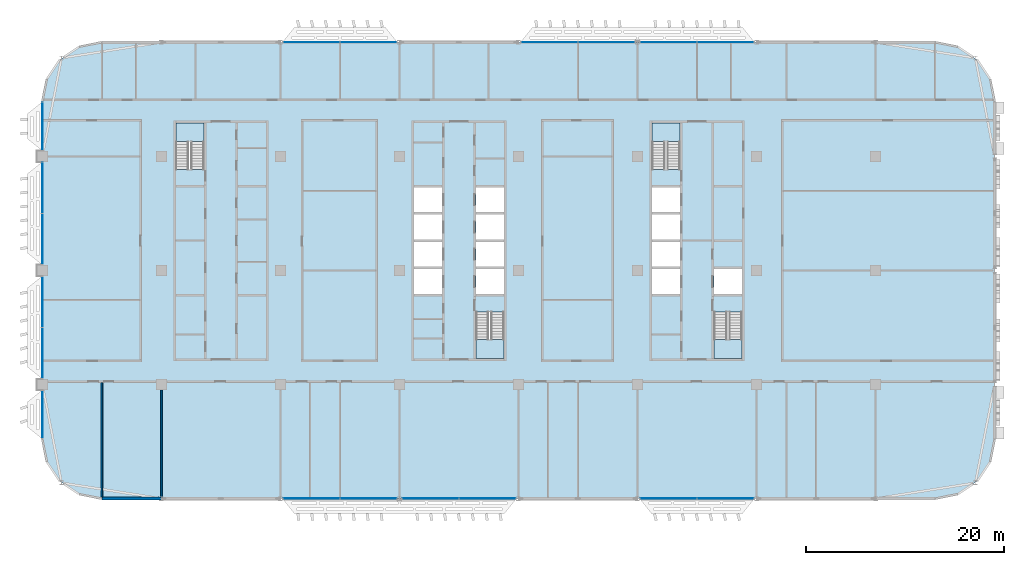
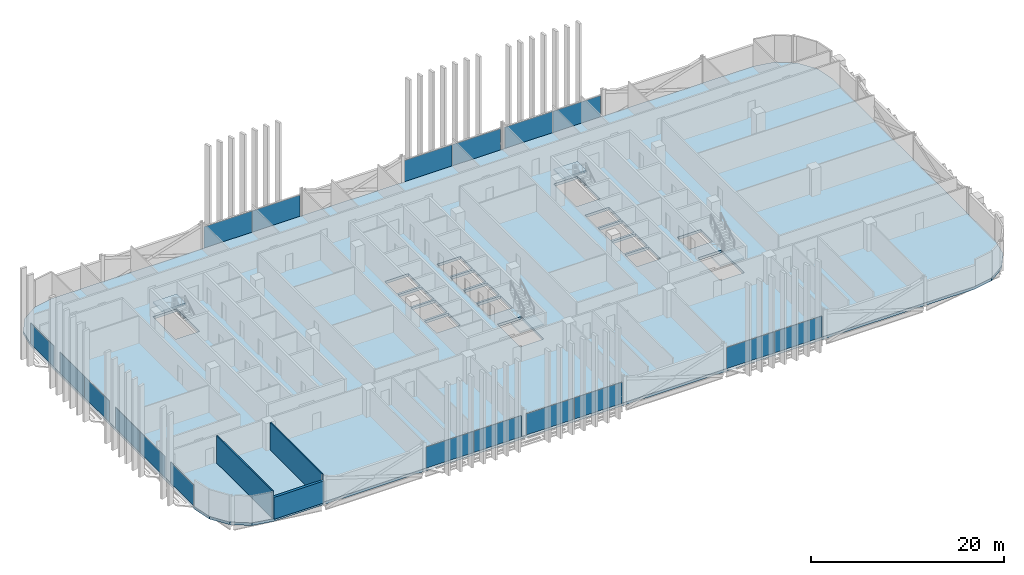
# One storey, part 12 of 30: 18 plates, 5 slabs, 3 walls, 14 elements without a shape of their own.
"""IFC4 building model written with IfcOpenShell, lengths in metres."""

from ifc_helpers import new_model, si_unit, direction, frame, frame_2d, origin, origin_2d, place, context, subcontext, project, spatial, polyline, rectangle, outline, extrude, material, layer, layer_set, type_object, element, aggregate, save


model = new_model("IFC4")

# Units and contexts
model_context = context("Model", 3, precision=1e-05, world=origin(), true_north=direction((0.0, 1.0)))
body_context = subcontext(model_context, "Body", "Model", "MODEL_VIEW")
ifc_project = project(units=[si_unit("LENGTHUNIT", "METRE"), si_unit("AREAUNIT", "SQUARE_METRE"), si_unit("VOLUMEUNIT", "CUBIC_METRE"), si_unit("PLANEANGLEUNIT", "RADIAN"), si_unit("MASSUNIT", "GRAM", prefix="KILO")], contexts=[model_context])

# Site, building, storey
site_placement = place(None, origin())
site = spatial("IfcSite", under=ifc_project, at=site_placement, CompositionType="ELEMENT")
building_placement = place(site_placement, origin())
building = spatial("IfcBuilding", under=site, at=building_placement, Name="Mahtab Terrace Research Tower", CompositionType="ELEMENT")
storey_placement = place(building_placement, frame((0.0, 0.0, 209.10009765625)))
storey = spatial("IfcBuildingStorey", under=building, at=storey_placement, Name="L50", CompositionType="ELEMENT", Elevation=209.10009765625)

# Stair, slab
ifc_material_1 = material(Name="Exit stair half-turn")
stair_type = type_object("IfcStairType", Name="Exit stair half-turn", PredefinedType="HALF_TURN_STAIR", material=ifc_material_1)
stair_1_placement = place(storey_placement, origin())
stair_1 = element("IfcStair", 1, at=stair_1_placement, inside=storey, type_object=stair_type, Name="L50 Protected exit stair ST1", PredefinedType="HALF_TURN_STAIR")
ifc_material_2 = material(Name="Concrete C40/50", Category="concrete")
ifc_layer_1 = layer(ifc_material_2, 0.199951171875)
ifc_layer_set_1 = layer_set([ifc_layer_1], Name="Exit stair landing 200")
slab_type_1 = type_object("IfcSlabType", Name="Exit stair landing 200", PredefinedType="LANDING", material=ifc_layer_set_1)
slab_1_placement = place(storey_placement, frame((0.0, 0.0, 1.699951171875)))
slab_1 = element("IfcSlab", 2, at=slab_1_placement, type_object=slab_type_1, Name="ST1 landing 1", PredefinedType="LANDING", context=body_context, shape_type="SweptSolid", body=[
    extrude(outline(polyline([(-25.699951171875, 12.97509765625), (-25.699951171875, 14.875), (-28.550048828125, 14.875), (-28.550048828125, 12.97509765625), (-25.699951171875, 12.97509765625)])), origin(), (0.0, 0.0, 1.0), 0.199951171875),
])
aggregate(stair_1, [slab_1])

stair_2_placement = place(storey_placement, origin())
stair_2 = element("IfcStair", 3, at=stair_2_placement, inside=storey, type_object=stair_type, Name="L50 Protected exit stair ST2", PredefinedType="HALF_TURN_STAIR")
slab_2_placement = place(storey_placement, frame((0.0, 0.0, 1.699951171875)))
slab_2 = element("IfcSlab", 4, at=slab_2_placement, type_object=slab_type_1, Name="ST2 landing 1", PredefinedType="LANDING", context=body_context, shape_type="SweptSolid", body=[
    extrude(outline(polyline([(1.699951171875, -6.97509765625), (1.699951171875, -8.875), (4.550048828125, -8.875), (4.550048828125, -6.97509765625), (1.699951171875, -6.97509765625)])), origin(), (0.0, 0.0, 1.0), 0.199951171875),
])
aggregate(stair_2, [slab_2])

stair_3_placement = place(storey_placement, origin())
stair_3 = element("IfcStair", 5, at=stair_3_placement, inside=storey, type_object=stair_type, Name="L50 Protected exit stair ST3", PredefinedType="HALF_TURN_STAIR")
slab_3_placement = place(storey_placement, frame((0.0, 0.0, 1.699951171875)))
slab_3 = element("IfcSlab", 6, at=slab_3_placement, type_object=slab_type_1, Name="ST3 landing 1", PredefinedType="LANDING", context=body_context, shape_type="SweptSolid", body=[
    extrude(outline(polyline([(22.300048828125, 12.97509765625), (22.300048828125, 14.875), (19.449951171875, 14.875), (19.449951171875, 12.97509765625), (22.300048828125, 12.97509765625)])), origin(), (0.0, 0.0, 1.0), 0.199951171875),
])
aggregate(stair_3, [slab_3])

stair_4_placement = place(storey_placement, origin())
stair_4 = element("IfcStair", 7, at=stair_4_placement, inside=storey, type_object=stair_type, Name="L50 Protected exit stair ST4", PredefinedType="HALF_TURN_STAIR")
slab_4_placement = place(storey_placement, frame((0.0, 0.0, 1.699951171875)))
slab_4 = element("IfcSlab", 8, at=slab_4_placement, type_object=slab_type_1, Name="ST4 landing 1", PredefinedType="LANDING", context=body_context, shape_type="SweptSolid", body=[
    extrude(outline(polyline([(25.699951171875, -6.97509765625), (25.699951171875, -8.875), (28.550048828125, -8.875), (28.550048828125, -6.97509765625), (25.699951171875, -6.97509765625)])), origin(), (0.0, 0.0, 1.0), 0.199951171875),
])
aggregate(stair_4, [slab_4])

# Curtain wall, plates
ifc_material_3 = material(Name="Laboratory ribbon curtain wall")
curtain_wall_type = type_object("IfcCurtainWallType", Name="Laboratory ribbon curtain wall", PredefinedType="NOTDEFINED", material=ifc_material_3)
curtain_wall_1_placement = place(storey_placement, origin())
curtain_wall_1 = element("IfcCurtainWall", 9, at=curtain_wall_1_placement, inside=storey, type_object=curtain_wall_type, Name="EN.L50.3.5", PredefinedType="NOTDEFINED")
ifc_material_4 = material(Name="Dark glazing", Category="glass")
ifc_layer_2 = layer(ifc_material_4, 0.031982421875)
ifc_layer_set_2 = layer_set([ifc_layer_2], Name="Laboratory ribbon curtain wall glazing panel")
plate_type = type_object("IfcPlateType", Name="Laboratory ribbon curtain wall glazing panel", PredefinedType="CURTAIN_PANEL", material=ifc_layer_set_2)
plate_1_placement = place(storey_placement, frame((26.8837890625, 23.0, 0.0), z_axis=(0.0, 0.0, 1.0), x_axis=(-1.0, 0.0, 0.0)))
plate_1 = element("IfcPlate", 10, at=plate_1_placement, type_object=plate_type, Name="CWL-6 panel 1", PredefinedType="CURTAIN_PANEL", context=body_context, shape_type="SweptSolid", body=[
    extrude(rectangle(XDim=5.702392578125, YDim=0.031982421875, at=origin_2d()), origin(), (0.0, 0.0, 1.0), 2.681884765625),
])
plate_2_placement = place(storey_placement, frame((21.1162109375, 23.0, 0.0), z_axis=(0.0, 0.0, 1.0), x_axis=(-1.0, 0.0, 0.0)))
plate_2 = element("IfcPlate", 11, at=plate_2_placement, type_object=plate_type, Name="CWL-6 panel 2", PredefinedType="CURTAIN_PANEL", context=body_context, shape_type="SweptSolid", body=[
    extrude(rectangle(XDim=5.702392578125, YDim=0.031982421875, at=origin_2d()), origin(), (0.0, 0.0, 1.0), 2.681884765625),
])
aggregate(curtain_wall_1, [plate_1, plate_2])

curtain_wall_2_placement = place(storey_placement, origin())
curtain_wall_2 = element("IfcCurtainWall", 12, at=curtain_wall_2_placement, inside=storey, type_object=curtain_wall_type, Name="EN.L50.3.6", PredefinedType="NOTDEFINED")
plate_3_placement = place(storey_placement, frame((14.8837890625, 23.0, 0.0), z_axis=(0.0, 0.0, 1.0), x_axis=(-1.0, 0.0, 0.0)))
plate_3 = element("IfcPlate", 13, at=plate_3_placement, type_object=plate_type, Name="CWL-6 panel 1", PredefinedType="CURTAIN_PANEL", context=body_context, shape_type="SweptSolid", body=[
    extrude(rectangle(XDim=5.702392578125, YDim=0.031982421875, at=origin_2d()), origin(), (0.0, 0.0, 1.0), 2.681884765625),
])
plate_4_placement = place(storey_placement, frame((9.1162109375, 23.0, 0.0), z_axis=(0.0, 0.0, 1.0), x_axis=(-1.0, 0.0, 0.0)))
plate_4 = element("IfcPlate", 14, at=plate_4_placement, type_object=plate_type, Name="CWL-6 panel 2", PredefinedType="CURTAIN_PANEL", context=body_context, shape_type="SweptSolid", body=[
    extrude(rectangle(XDim=5.702392578125, YDim=0.031982421875, at=origin_2d()), origin(), (0.0, 0.0, 1.0), 2.681884765625),
])
aggregate(curtain_wall_2, [plate_3, plate_4])

curtain_wall_3_placement = place(storey_placement, origin())
curtain_wall_3 = element("IfcCurtainWall", 15, at=curtain_wall_3_placement, inside=storey, type_object=curtain_wall_type, Name="EN.L50.3.8", PredefinedType="NOTDEFINED")
plate_5_placement = place(storey_placement, frame((-9.1162109375, 23.0, 0.0), z_axis=(0.0, 0.0, 1.0), x_axis=(-1.0, 0.0, 0.0)))
plate_5 = element("IfcPlate", 16, at=plate_5_placement, type_object=plate_type, Name="CWL-6 panel 1", PredefinedType="CURTAIN_PANEL", context=body_context, shape_type="SweptSolid", body=[
    extrude(rectangle(XDim=5.702392578125, YDim=0.031982421875, at=origin_2d()), origin(), (0.0, 0.0, 1.0), 2.681884765625),
])
plate_6_placement = place(storey_placement, frame((-14.8837890625, 23.0, 0.0), z_axis=(0.0, 0.0, 1.0), x_axis=(-1.0, 0.0, 0.0)))
plate_6 = element("IfcPlate", 17, at=plate_6_placement, type_object=plate_type, Name="CWL-6 panel 2", PredefinedType="CURTAIN_PANEL", context=body_context, shape_type="SweptSolid", body=[
    extrude(rectangle(XDim=5.702392578125, YDim=0.031982421875, at=origin_2d()), origin(), (0.0, 0.0, 1.0), 2.681884765625),
])
aggregate(curtain_wall_3, [plate_5, plate_6])

# Curtain wall, plate
curtain_wall_4_placement = place(storey_placement, origin())
curtain_wall_4 = element("IfcCurtainWall", 18, at=curtain_wall_4_placement, inside=storey, type_object=curtain_wall_type, Name="EN.L50.8.15", PredefinedType="NOTDEFINED")
plate_7_placement = place(storey_placement, frame((-42.0, 14.52490234375, 0.0), z_axis=(0.0, 0.0, 1.0), x_axis=(0.0, -1.0, 0.0)))
plate_7 = element("IfcPlate", 19, at=plate_7_placement, type_object=plate_type, Name="CWL-6 panel 1", PredefinedType="CURTAIN_PANEL", context=body_context, shape_type="SweptSolid", body=[
    extrude(rectangle(XDim=4.820068359375, YDim=0.031982421875, at=origin_2d()), origin(), (0.0, 0.0, 1.0), 2.681884765625),
])
aggregate(curtain_wall_4, [plate_7])

# Curtain wall, plates
curtain_wall_5_placement = place(storey_placement, origin())
curtain_wall_5 = element("IfcCurtainWall", 20, at=curtain_wall_5_placement, inside=storey, type_object=curtain_wall_type, Name="EN.L50.8.16", PredefinedType="NOTDEFINED")
plate_8_placement = place(storey_placement, frame((-42.0, 8.333740234375, 0.0), z_axis=(0.0, 0.0, 1.0), x_axis=(0.0, -1.0, 0.0)))
plate_8 = element("IfcPlate", 21, at=plate_8_placement, type_object=plate_type, Name="CWL-6 panel 1", PredefinedType="CURTAIN_PANEL", context=body_context, shape_type="SweptSolid", body=[
    extrude(rectangle(XDim=5.1025390625, YDim=0.031982421875, at=origin_2d()), origin(), (0.0, 0.0, 1.0), 2.681884765625),
])
plate_9_placement = place(storey_placement, frame((-42.0, 3.166259765625, 0.0), z_axis=(0.0, 0.0, 1.0), x_axis=(0.0, -1.0, 0.0)))
plate_9 = element("IfcPlate", 22, at=plate_9_placement, type_object=plate_type, Name="CWL-6 panel 2", PredefinedType="CURTAIN_PANEL", context=body_context, shape_type="SweptSolid", body=[
    extrude(rectangle(XDim=5.1025390625, YDim=0.031982421875, at=origin_2d()), origin(), (0.0, 0.0, 1.0), 2.681884765625),
])
aggregate(curtain_wall_5, [plate_8, plate_9])

curtain_wall_6_placement = place(storey_placement, origin())
curtain_wall_6 = element("IfcCurtainWall", 23, at=curtain_wall_6_placement, inside=storey, type_object=curtain_wall_type, Name="EN.L50.8.17", PredefinedType="NOTDEFINED")
plate_10_placement = place(storey_placement, frame((-42.0, -3.166259765625, 0.0), z_axis=(0.0, 0.0, 1.0), x_axis=(0.0, -1.0, 0.0)))
plate_10 = element("IfcPlate", 24, at=plate_10_placement, type_object=plate_type, Name="CWL-6 panel 1", PredefinedType="CURTAIN_PANEL", context=body_context, shape_type="SweptSolid", body=[
    extrude(rectangle(XDim=5.1025390625, YDim=0.031982421875, at=origin_2d()), origin(), (0.0, 0.0, 1.0), 2.681884765625),
])
plate_11_placement = place(storey_placement, frame((-42.0, -8.333740234375, 0.0), z_axis=(0.0, 0.0, 1.0), x_axis=(0.0, -1.0, 0.0)))
plate_11 = element("IfcPlate", 25, at=plate_11_placement, type_object=plate_type, Name="CWL-6 panel 2", PredefinedType="CURTAIN_PANEL", context=body_context, shape_type="SweptSolid", body=[
    extrude(rectangle(XDim=5.1025390625, YDim=0.031982421875, at=origin_2d()), origin(), (0.0, 0.0, 1.0), 2.681884765625),
])
aggregate(curtain_wall_6, [plate_10, plate_11])

# Curtain wall, plate
curtain_wall_7_placement = place(storey_placement, origin())
curtain_wall_7 = element("IfcCurtainWall", 26, at=curtain_wall_7_placement, inside=storey, type_object=curtain_wall_type, Name="EN.L50.8.18", PredefinedType="NOTDEFINED")
plate_12_placement = place(storey_placement, frame((-42.0, -14.52490234375, 0.0), z_axis=(0.0, 0.0, 1.0), x_axis=(0.0, -1.0, 0.0)))
plate_12 = element("IfcPlate", 27, at=plate_12_placement, type_object=plate_type, Name="CWL-6 panel 1", PredefinedType="CURTAIN_PANEL", context=body_context, shape_type="SweptSolid", body=[
    extrude(rectangle(XDim=4.820068359375, YDim=0.031982421875, at=origin_2d()), origin(), (0.0, 0.0, 1.0), 2.681884765625),
])
aggregate(curtain_wall_7, [plate_12])

# Curtain wall, plates
curtain_wall_8_placement = place(storey_placement, origin())
curtain_wall_8 = element("IfcCurtainWall", 28, at=curtain_wall_8_placement, inside=storey, type_object=curtain_wall_type, Name="EN.L50.13.25", PredefinedType="NOTDEFINED")
plate_13_placement = place(storey_placement, frame((-14.8837890625, -23.0, 0.0), z_axis=(0.0, 0.0, 1.0), x_axis=(1.0, 0.0, 0.0)))
plate_13 = element("IfcPlate", 29, at=plate_13_placement, type_object=plate_type, Name="CWL-6 panel 1", PredefinedType="CURTAIN_PANEL", context=body_context, shape_type="SweptSolid", body=[
    extrude(rectangle(XDim=5.702392578125, YDim=0.031982421875, at=origin_2d()), origin(), (0.0, 0.0, 1.0), 2.681884765625),
])
plate_14_placement = place(storey_placement, frame((-9.1162109375, -23.0, 0.0), z_axis=(0.0, 0.0, 1.0), x_axis=(1.0, 0.0, 0.0)))
plate_14 = element("IfcPlate", 30, at=plate_14_placement, type_object=plate_type, Name="CWL-6 panel 2", PredefinedType="CURTAIN_PANEL", context=body_context, shape_type="SweptSolid", body=[
    extrude(rectangle(XDim=5.702392578125, YDim=0.031982421875, at=origin_2d()), origin(), (0.0, 0.0, 1.0), 2.681884765625),
])
aggregate(curtain_wall_8, [plate_13, plate_14])

curtain_wall_9_placement = place(storey_placement, origin())
curtain_wall_9 = element("IfcCurtainWall", 31, at=curtain_wall_9_placement, inside=storey, type_object=curtain_wall_type, Name="EN.L50.13.26", PredefinedType="NOTDEFINED")
plate_15_placement = place(storey_placement, frame((-2.8837890625, -23.0, 0.0), z_axis=(0.0, 0.0, 1.0), x_axis=(1.0, 0.0, 0.0)))
plate_15 = element("IfcPlate", 32, at=plate_15_placement, type_object=plate_type, Name="CWL-6 panel 1", PredefinedType="CURTAIN_PANEL", context=body_context, shape_type="SweptSolid", body=[
    extrude(rectangle(XDim=5.702392578125, YDim=0.031982421875, at=origin_2d()), origin(), (0.0, 0.0, 1.0), 2.681884765625),
])
plate_16_placement = place(storey_placement, frame((2.8837890625, -23.0, 0.0), z_axis=(0.0, 0.0, 1.0), x_axis=(1.0, 0.0, 0.0)))
plate_16 = element("IfcPlate", 33, at=plate_16_placement, type_object=plate_type, Name="CWL-6 panel 2", PredefinedType="CURTAIN_PANEL", context=body_context, shape_type="SweptSolid", body=[
    extrude(rectangle(XDim=5.702392578125, YDim=0.031982421875, at=origin_2d()), origin(), (0.0, 0.0, 1.0), 2.681884765625),
])
aggregate(curtain_wall_9, [plate_15, plate_16])

curtain_wall_10_placement = place(storey_placement, origin())
curtain_wall_10 = element("IfcCurtainWall", 34, at=curtain_wall_10_placement, inside=storey, type_object=curtain_wall_type, Name="EN.L50.13.28", PredefinedType="NOTDEFINED")
plate_17_placement = place(storey_placement, frame((21.1162109375, -23.0, 0.0), z_axis=(0.0, 0.0, 1.0), x_axis=(1.0, 0.0, 0.0)))
plate_17 = element("IfcPlate", 35, at=plate_17_placement, type_object=plate_type, Name="CWL-6 panel 1", PredefinedType="CURTAIN_PANEL", context=body_context, shape_type="SweptSolid", body=[
    extrude(rectangle(XDim=5.702392578125, YDim=0.031982421875, at=origin_2d()), origin(), (0.0, 0.0, 1.0), 2.681884765625),
])
plate_18_placement = place(storey_placement, frame((26.8837890625, -23.0, 0.0), z_axis=(0.0, 0.0, 1.0), x_axis=(1.0, 0.0, 0.0)))
plate_18 = element("IfcPlate", 36, at=plate_18_placement, type_object=plate_type, Name="CWL-6 panel 2", PredefinedType="CURTAIN_PANEL", context=body_context, shape_type="SweptSolid", body=[
    extrude(rectangle(XDim=5.702392578125, YDim=0.031982421875, at=origin_2d()), origin(), (0.0, 0.0, 1.0), 2.681884765625),
])
aggregate(curtain_wall_10, [plate_17, plate_18])

# Slab
ifc_layer_3 = layer(ifc_material_2, 0.340087890625)
ifc_layer_set_3 = layer_set([ifc_layer_3], Name="PT flat slab 340")
slab_type_2 = type_object("IfcSlabType", Name="PT flat slab 340", PredefinedType="FLOOR", material=ifc_layer_set_3)
slab_5_placement = place(storey_placement, frame((0.0, 0.0, -0.340087890625)))
element("IfcSlab", 37, at=slab_5_placement, inside=storey, type_object=slab_type_2, Name="Floor slab L50", PredefinedType="FLOOR", context=body_context, shape_type="SweptSolid", body=[
    extrude(outline(polyline([(53.54296875, 19.2958984375), (52.242919921875, 21.242919921875), (50.2958984375, 22.54296875), (48.0, 23.0), (-36.0, 23.0), (-38.2958984375, 22.54296875), (-40.242919921875, 21.242919921875), (-41.54296875, 19.2958984375), (-42.0, 17.0), (-42.0, -17.0), (-41.54296875, -19.2958984375), (-40.242919921875, -21.242919921875), (-38.2958984375, -22.54296875), (-36.0, -23.0), (48.0, -23.0), (50.2958984375, -22.54296875), (52.242919921875, -21.242919921875), (53.54296875, -19.2958984375), (54.0, -17.0), (54.0, 17.0), (53.54296875, 19.2958984375)]), holes=[polyline([(-4.550048828125, -2.375), (-4.550048828125, 0.125), (-1.699951171875, 0.125), (-1.699951171875, -2.375), (-4.550048828125, -2.375)]), polyline([(1.699951171875, -2.375), (1.699951171875, 0.125), (4.550048828125, 0.125), (4.550048828125, -2.375), (1.699951171875, -2.375)]), polyline([(-4.550048828125, 0.375), (-4.550048828125, 2.875), (-1.699951171875, 2.875), (-1.699951171875, 0.375), (-4.550048828125, 0.375)]), polyline([(1.699951171875, 0.375), (1.699951171875, 2.875), (4.550048828125, 2.875), (4.550048828125, 0.375), (1.699951171875, 0.375)]), polyline([(-4.550048828125, 3.125), (-4.550048828125, 5.625), (-1.699951171875, 5.625), (-1.699951171875, 3.125), (-4.550048828125, 3.125)]), polyline([(1.699951171875, 3.125), (1.699951171875, 5.625), (4.550048828125, 5.625), (4.550048828125, 3.125), (1.699951171875, 3.125)]), polyline([(-4.550048828125, 5.875), (-4.550048828125, 8.375), (-1.699951171875, 8.375), (-1.699951171875, 5.875), (-4.550048828125, 5.875)]), polyline([(1.699951171875, 5.875), (1.699951171875, 8.375), (4.550048828125, 8.375), (4.550048828125, 5.875), (1.699951171875, 5.875)]), polyline([(-28.550048828125, 10.177001953125), (-28.550048828125, 14.875), (-25.699951171875, 14.875), (-25.699951171875, 10.177001953125), (-28.550048828125, 10.177001953125)]), polyline([(1.699951171875, -8.875), (1.699951171875, -4.177001953125), (4.550048828125, -4.177001953125), (4.550048828125, -8.875), (1.699951171875, -8.875)]), polyline([(25.699951171875, -8.875), (25.699951171875, -4.177001953125), (28.550048828125, -4.177001953125), (28.550048828125, -8.875), (25.699951171875, -8.875)]), polyline([(19.449951171875, -2.375), (19.449951171875, 0.125), (22.300048828125, 0.125), (22.300048828125, -2.375), (19.449951171875, -2.375)]), polyline([(25.699951171875, -2.375), (25.699951171875, 0.125), (28.550048828125, 0.125), (28.550048828125, -2.375), (25.699951171875, -2.375)]), polyline([(19.449951171875, 0.375), (19.449951171875, 2.875), (22.300048828125, 2.875), (22.300048828125, 0.375), (19.449951171875, 0.375)]), polyline([(19.449951171875, 3.125), (19.449951171875, 5.625), (22.300048828125, 5.625), (22.300048828125, 3.125), (19.449951171875, 3.125)]), polyline([(19.449951171875, 8.375), (22.300048828125, 8.375), (22.300048828125, 5.875), (19.449951171875, 5.875), (19.449951171875, 8.375)]), polyline([(19.449951171875, 14.875), (22.300048828125, 14.875), (22.300048828125, 10.177001953125), (19.449951171875, 10.177001953125), (19.449951171875, 14.875)])]), origin(), (0.0, 0.0, 1.0), 0.340087890625),
])

# Walls
ifc_material_5 = material(Name="Black aluminium cladding panel", Category="aluminium")
ifc_layer_4 = layer(ifc_material_5, 0.300048828125)
ifc_layer_set_4 = layer_set([ifc_layer_4], Name="Opaque facade wall 300")
wall_type_1 = type_object("IfcWallType", Name="Opaque facade wall 300", PredefinedType="NOTDEFINED", material=ifc_layer_set_4)
wall_1_placement = place(storey_placement, frame((-36.0, -23.0, 0.0), z_axis=(0.0, 0.0, 1.0), x_axis=(1.0, 0.0, 0.0)))
element("IfcWall", 38, at=wall_1_placement, inside=storey, type_object=wall_type_1, Name="Opaque facade wall L50 S23", PredefinedType="NOTDEFINED", context=body_context, shape_type="SweptSolid", body=[
    extrude(rectangle(XDim=5.987548828125, YDim=0.300048828125, at=frame_2d((2.99365234375, 0.0))), origin(), (0.0, 0.0, 1.0), 2.78173828125),
])
ifc_material_6 = material(Name="Gypsum board partition on steel studs", Category="steel")
ifc_layer_5 = layer(ifc_material_6, 0.14990234375)
ifc_layer_set_5 = layer_set([ifc_layer_5], Name="WALL PARTITION 150")
wall_type_2 = type_object("IfcWallType", Name="WALL PARTITION 150", PredefinedType="PARTITIONING", material=ifc_layer_set_5)
wall_2_placement = place(storey_placement, frame((-36.0, -22.84716796875, 0.0), z_axis=(0.0, 0.0, 1.0), x_axis=(0.0, 1.0, 0.0)))
element("IfcWall", 39, at=wall_2_placement, inside=storey, type_object=wall_type_2, Name="L50-W027", PredefinedType="PARTITIONING", context=body_context, shape_type="SweptSolid", body=[
    extrude(rectangle(XDim=11.547119140625, YDim=0.14990234375, at=frame_2d((5.7734375, 0.0))), origin(), (0.0, 0.0, 1.0), 3.4599609375),
])
wall_3_placement = place(storey_placement, frame((-30.0, -22.85009765625, 0.0), z_axis=(0.0, 0.0, 1.0), x_axis=(0.0, 1.0, 0.0)))
element("IfcWall", 40, at=wall_3_placement, inside=storey, type_object=wall_type_2, Name="L50-W031", PredefinedType="PARTITIONING", context=body_context, shape_type="SweptSolid", body=[
    extrude(rectangle(XDim=10.800048828125, YDim=0.14990234375, at=frame_2d((5.39990234375, 0.0))), origin(), (0.0, 0.0, 1.0), 3.4599609375),
])

save(model, "model.ifc")
